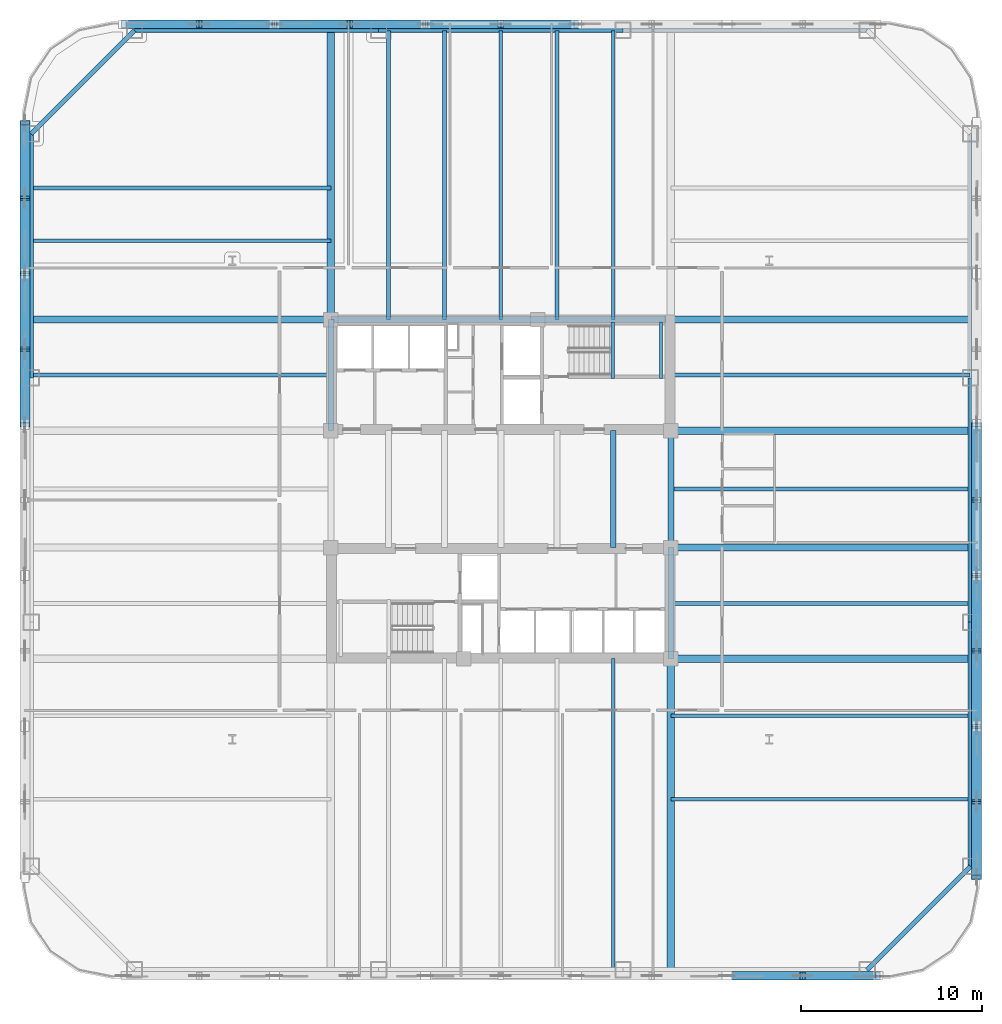
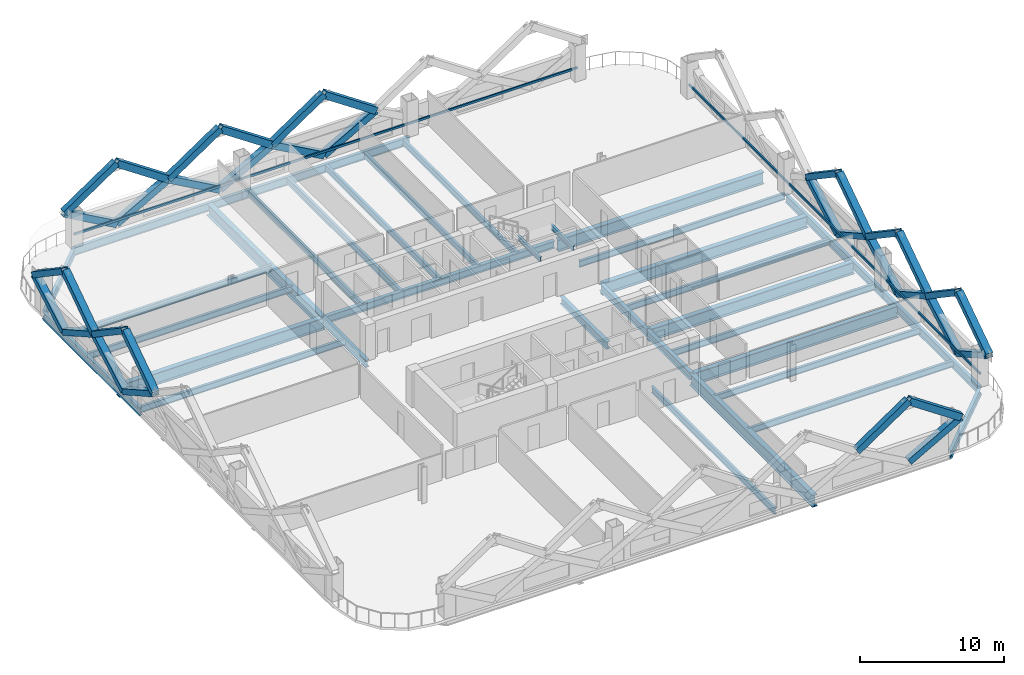
# One storey, part 2 of 14: 37 members, 35 beams.
"""IFC4 building model written with IfcOpenShell, lengths in metres."""

import ifcopenshell
import ifcopenshell.guid

model = None  # the IFC model being written
_history = None  # IfcOwnerHistory: only IFC2X3 demands one
_inside = {}  # id of a spatial element -> (the spatial element, [elements in it])
_under = {}  # id of a project, library or spatial element -> (it, [spatial elements below it])
_declared = {}  # id of a project -> (the project, [libraries it declares])
_typed = {}  # id of a type object -> (the type object, [elements of that type])
_made_of = {}  # id of a material, layer set ... -> (it, [elements and type objects made of it])


def new_model(schema):
    """Start an empty IFC model of exactly this schema.

    Asked for "IFC4X3", IfcOpenShell would pick the latest addendum, in which some entities
    have other attributes; the version numbers below select the first issue.
    IFC2X3 requires an IfcOwnerHistory on every rooted entity: one is made here for all.
    """
    global model, _history
    if schema == "IFC4X3":
        model = ifcopenshell.file(schema_version=(4, 3, 0, 0))
    else:
        model = ifcopenshell.file(schema=schema)
    _inside.clear()
    _under.clear()
    _declared.clear()
    _typed.clear()
    _made_of.clear()
    _history = None
    if model.schema == "IFC2X3":
        org = make("IfcOrganization", Name="unknown")
        user = make(
            "IfcPersonAndOrganization",
            ThePerson=make("IfcPerson", FamilyName="unknown"),
            TheOrganization=org,
        )
        app = make(
            "IfcApplication",
            ApplicationDeveloper=org,
            Version="unknown",
            ApplicationFullName="unknown",
            ApplicationIdentifier="unknown",
        )
        _history = make(
            "IfcOwnerHistory",
            OwningUser=user,
            OwningApplication=app,
            ChangeAction="ADDED",
            CreationDate=0,
        )
    return model


def make(cls, **values):
    """One entity of the class cls with the attributes given. An attribute that is None is left unset."""
    return model.create_entity(
        cls, **{name: value for name, value in values.items() if value is not None}
    )


def rooted(cls, **values):
    """An entity with a GlobalId (a new one), such as an element, a storey or a relation."""
    return make(cls, GlobalId=ifcopenshell.guid.new(), OwnerHistory=_history, **values)


def si_unit(unit_type, name, prefix=None):
    """IfcSIUnit, for example si_unit("LENGTHUNIT", "METRE", prefix="MILLI")."""
    return make("IfcSIUnit", UnitType=unit_type, Prefix=prefix, Name=name)


def assignment(units):
    """IfcUnitAssignment: the units of a project."""
    return None if units is None else make("IfcUnitAssignment", Units=units)


def point(xyz):
    """IfcCartesianPoint."""
    return None if xyz is None else make("IfcCartesianPoint", Coordinates=xyz)


def direction(xyz):
    """IfcDirection."""
    return None if xyz is None else make("IfcDirection", DirectionRatios=xyz)


def frame(location, z_axis=None, x_axis=None):
    """IfcAxis2Placement3D, a coordinate frame: its origin and axes. An axis left out is left unset."""
    return make(
        "IfcAxis2Placement3D",
        Location=point(location),
        Axis=direction(z_axis),
        RefDirection=direction(x_axis),
    )


def frame_2d(location, x_axis=None):
    """IfcAxis2Placement2D, a coordinate frame in the plane: its origin and x axis."""
    return make(
        "IfcAxis2Placement2D", Location=point(location), RefDirection=direction(x_axis)
    )


def origin():
    """The frame at (0, 0, 0) with its axes left unset."""
    return frame((0.0, 0.0, 0.0))


def origin_2d():
    """The frame at (0, 0) in the plane with its x axis left unset."""
    return frame_2d((0.0, 0.0))


def place(relative_to, where):
    """IfcLocalPlacement: puts the frame where relative to a parent placement (None: the world)."""
    return make(
        "IfcLocalPlacement", PlacementRelTo=relative_to, RelativePlacement=where
    )


def context(
    kind, dimensions, precision=None, world=None, true_north=None, identifier=None
):
    """IfcGeometricRepresentationContext, for example the 3D "Model" context."""
    return make(
        "IfcGeometricRepresentationContext",
        ContextIdentifier=identifier,
        ContextType=kind,
        CoordinateSpaceDimension=dimensions,
        Precision=precision,
        WorldCoordinateSystem=world,
        TrueNorth=true_north,
    )


def subcontext(parent, identifier, kind, view, scale=None):
    """IfcGeometricRepresentationSubContext, for example "Body" below "Model"."""
    return make(
        "IfcGeometricRepresentationSubContext",
        ContextIdentifier=identifier,
        ContextType=kind,
        ParentContext=parent,
        TargetScale=scale,
        TargetView=view,
    )


def project(units=None, contexts=None):
    """IfcProject with its units and contexts."""
    return rooted(
        "IfcProject",
        Name="project",
        RepresentationContexts=contexts,
        UnitsInContext=assignment(units),
    )


def spatial(cls, under=None, at=None, **own):
    """A site, building, storey or space (cls), placed at a placement, below another one or the project."""
    s = rooted(cls, ObjectPlacement=at, **own)
    if under is not None:
        _under.setdefault(under.id(), (under, []))[1].append(s)
    return s


def profile(cls, at=None, kind="AREA", **sizes):
    """A parametric profile (cls). Its sizes go by their IFC names, for example OverallWidth=200.0."""
    return make(cls, ProfileType=kind, Position=at, **sizes)


def hollow_rectangle(**sizes):
    """IfcRectangleHollowProfileDef."""
    return profile("IfcRectangleHollowProfileDef", **sizes)


def i_section(**sizes):
    """IfcIShapeProfileDef."""
    return profile("IfcIShapeProfileDef", **sizes)


def extrude(swept, where, along, depth):
    """IfcExtrudedAreaSolid: the profile swept, set in the frame where, extruded along a direction by depth."""
    return make(
        "IfcExtrudedAreaSolid",
        SweptArea=swept,
        Position=where,
        ExtrudedDirection=direction(along),
        Depth=depth,
    )


def shape(context_of_items, identifier, shape_type, items):
    """IfcShapeRepresentation: the items that make up one representation, for example the "Body"."""
    return make(
        "IfcShapeRepresentation",
        ContextOfItems=context_of_items,
        RepresentationIdentifier=identifier,
        RepresentationType=shape_type,
        Items=items,
    )


def material(Name=None, Category=None):
    """IfcMaterial."""
    return make("IfcMaterial", Name=Name, Category=Category)


def material_profile(
    of_material, cross_section, Name=None, Category=None, Priority=None
):
    """IfcMaterialProfile: a cross section and its material."""
    return make(
        "IfcMaterialProfile",
        Name=Name,
        Material=of_material,
        Profile=cross_section,
        Priority=Priority,
        Category=Category,
    )


def profile_set(profiles, Name=None, composite=None):
    """IfcMaterialProfileSet."""
    return make(
        "IfcMaterialProfileSet",
        Name=Name,
        MaterialProfiles=profiles,
        CompositeProfile=composite,
    )


def made_of(thing, what):
    """Note that an element or type object is made of a material, layer set ...; save() writes the relation."""
    if what is not None:
        _made_of.setdefault(what.id(), (what, []))[1].append(thing)
    return thing


def type_object(cls, material=None, **own):
    """A type object (cls), such as IfcWallType, which elements share."""
    return made_of(rooted(cls, **own), material)


def element(
    cls,
    number,
    at=None,
    inside=None,
    cuts=None,
    type_object=None,
    material=None,
    context=None,
    identifier="Body",
    shape_type=None,
    held_by="IfcProductDefinitionShape",
    body=None,
    shapes=None,
    **own,
):
    """One element of the class cls, such as IfcWall. Its Tag is "e" and its number.

    at: its placement. inside: the storey or other place that contains it. cuts: it is an
    opening in that element (IfcRelVoidsElement). A single representation is given by context,
    identifier, shape_type and body (its items); several are given by shapes. held_by: the class
    of the entity that holds the representations. save() writes the other relations.
    """
    e = rooted(cls, Tag="e%d" % number, ObjectPlacement=at, **own)
    if body is not None:
        shapes = [shape(context, identifier, shape_type, body)]
    if shapes is not None:
        e.Representation = make(held_by, Representations=shapes)
    if inside is not None:
        _inside.setdefault(inside.id(), (inside, []))[1].append(e)
    if cuts is not None:
        rooted(
            "IfcRelVoidsElement", RelatingBuildingElement=cuts, RelatedOpeningElement=e
        )
    if type_object is not None:
        _typed.setdefault(type_object.id(), (type_object, []))[1].append(e)
    return made_of(e, material)


def aggregate(whole, parts):
    """IfcRelAggregates: a whole, such as a stair, and the parts it consists of."""
    return rooted("IfcRelAggregates", RelatingObject=whole, RelatedObjects=parts)


def save(model, path):
    """Write the relations noted so far, then the file.

    IfcRelAggregates (storeys below a building ...), IfcRelContainedInSpatialStructure (elements
    in a storey), IfcRelDefinesByType, IfcRelAssociatesMaterial and IfcRelDeclares: one each for
    every whole, place, type object, material and project.
    """
    for whole, parts in _under.values():
        aggregate(whole, parts)
    for where, things in _inside.values():
        rooted(
            "IfcRelContainedInSpatialStructure",
            RelatedElements=things,
            RelatingStructure=where,
        )
    for kind, things in _typed.values():
        rooted("IfcRelDefinesByType", RelatedObjects=things, RelatingType=kind)
    for what, things in _made_of.values():
        rooted("IfcRelAssociatesMaterial", RelatedObjects=things, RelatingMaterial=what)
    for by, libraries in _declared.values():
        rooted("IfcRelDeclares", RelatingContext=by, RelatedDefinitions=libraries)
    model.write(path)


model = new_model("IFC4")

# Units and contexts
model_context = context("Model", 3, precision=1e-05, world=origin(), true_north=direction((0.0, 1.0)))
body_context = subcontext(model_context, "Body", "Model", "MODEL_VIEW")
ifc_project = project(units=[si_unit("LENGTHUNIT", "METRE"), si_unit("AREAUNIT", "SQUARE_METRE"), si_unit("VOLUMEUNIT", "CUBIC_METRE"), si_unit("PLANEANGLEUNIT", "RADIAN"), si_unit("MASSUNIT", "GRAM", prefix="KILO")], contexts=[model_context])

# Site, building, storey
site_placement = place(None, origin())
site = spatial("IfcSite", under=ifc_project, at=site_placement, CompositionType="ELEMENT")
building_placement = place(site_placement, origin())
building = spatial("IfcBuilding", under=site, at=building_placement, Name="Qhalaya Broadcast Tower", CompositionType="ELEMENT")
storey_placement = place(building_placement, frame((0.0, 0.0, 38.300048828125)))
storey = spatial("IfcBuildingStorey", under=building, at=storey_placement, Name="L10", CompositionType="ELEMENT", Elevation=38.300048828125)

# Beams
ifc_material_1 = material(Name="Structural Steel ASTM A992 Grade 50", Category="steel")
ifc_material_profile_1 = material_profile(ifc_material_1, i_section(OverallWidth=0.2099609375, OverallDepth=0.535888671875, WebThickness=0.010986328125, FlangeThickness=0.017333984375, at=origin_2d()), Name="W21X68")
ifc_profile_set_1 = profile_set([ifc_material_profile_1], Name="Structural Steel ASTM A992 Grade 50")
beam_type_1 = type_object("IfcBeamType", Name="Composite Floor Joist J02", PredefinedType="JOIST", material=ifc_profile_set_1)
for number, where, z_axis, x_axis, name in (
    (1, (-6.199951171875, 9.949951171875, -0.488037109375), (0.0, 1.0, 0.0), (-1.0, 0.0, 0.0), "L10 J02 L10-JNN1-1"),
    (2, (-3.10009765625, 9.949951171875, -0.488037109375), (0.0, 1.0, 0.0), (-1.0, 0.0, 0.0), "L10 J02 L10-JNN2-1"),
    (3, (0.0, 9.949951171875, -0.488037109375), (0.0, 1.0, 0.0), (-1.0, 0.0, 0.0), "L10 J02 L10-JNN3-1"),
    (4, (3.10009765625, 9.949951171875, -0.488037109375), (0.0, 1.0, 0.0), (-1.0, 0.0, 0.0), "L10 J02 L10-JNN4-1"),
):
    element("IfcBeam", number, at=place(storey_placement, frame(where, z_axis=z_axis, x_axis=x_axis)), inside=storey, type_object=beam_type_1, Name=name, PredefinedType="JOIST", context=body_context, shape_type="SweptSolid", body=[
        extrude(i_section(OverallWidth=0.2099609375, OverallDepth=0.535888671875, WebThickness=0.010986328125, FlangeThickness=0.017333984375, at=origin_2d()), origin(), (0.0, 0.0, 1.0), 15.929931640625),
    ])
beam_1_placement = place(storey_placement, frame((6.199951171875, -25.8798828125, -0.488037109375), z_axis=(0.0, 1.0, 0.0), x_axis=(-1.0, 0.0, 0.0)))
element("IfcBeam", 5, at=beam_1_placement, inside=storey, type_object=beam_type_1, Name="L10 J02 L10-JNS5-1", PredefinedType="JOIST", context=body_context, shape_type="SweptSolid", body=[
    extrude(i_section(OverallWidth=0.2099609375, OverallDepth=0.535888671875, WebThickness=0.010986328125, FlangeThickness=0.017333984375, at=origin_2d()), origin(), (0.0, 0.0, 1.0), 17.1298828125),
])
beam_2_placement = place(storey_placement, frame((6.199951171875, 9.949951171875, -0.488037109375), z_axis=(0.0, 1.0, 0.0), x_axis=(-1.0, 0.0, 0.0)))
element("IfcBeam", 6, at=beam_2_placement, inside=storey, type_object=beam_type_1, Name="L10 J02 L10-JNN5-1", PredefinedType="JOIST", context=body_context, shape_type="SweptSolid", body=[
    extrude(i_section(OverallWidth=0.2099609375, OverallDepth=0.535888671875, WebThickness=0.010986328125, FlangeThickness=0.017333984375, at=origin_2d()), origin(), (0.0, 0.0, 1.0), 15.929931640625),
])
for number, where, z_axis, x_axis, name in (
    (7, (9.375, -16.5, -0.488037109375), (1.0, 0.0, 0.0), (0.0, 1.0, 0.0), "L10 J02 L10-JWE1E-1"),
    (8, (9.375, -11.89990234375, -0.488037109375), (1.0, 0.0, 0.0), (0.0, 1.0, 0.0), "L10 J02 L10-JWE2E-1"),
    (9, (9.375, -5.699951171875, -0.488037109375), (1.0, 0.0, 0.0), (0.0, 1.0, 0.0), "L10 J02 L10-JWE3E-1"),
    (10, (9.375, 0.60009765625, -0.488037109375), (1.0, 0.0, 0.0), (0.0, 1.0, 0.0), "L10 J02 L10-JWE4E-1"),
    (11, (-25.8798828125, 6.89990234375, -0.488037109375), (1.0, 0.0, 0.0), (0.0, 1.0, 0.0), "L10 J02 L10-JWE5W-1"),
    (12, (9.375, 6.89990234375, -0.488037109375), (1.0, 0.0, 0.0), (0.0, 1.0, 0.0), "L10 J02 L10-JWE5E-1"),
    (13, (-25.8798828125, 14.300048828125, -0.488037109375), (1.0, 0.0, 0.0), (0.0, 1.0, 0.0), "L10 J02 L10-JWE6W-1"),
    (14, (-25.8798828125, 17.199951171875, -0.488037109375), (1.0, 0.0, 0.0), (0.0, 1.0, 0.0), "L10 J02 L10-JWE7W-1"),
):
    element("IfcBeam", number, at=place(storey_placement, frame(where, z_axis=z_axis, x_axis=x_axis)), inside=storey, type_object=beam_type_1, Name=name, PredefinedType="JOIST", context=body_context, shape_type="SweptSolid", body=[
        extrude(i_section(OverallWidth=0.2099609375, OverallDepth=0.535888671875, WebThickness=0.010986328125, FlangeThickness=0.017333984375, at=origin_2d()), origin(), (0.0, 0.0, 1.0), 16.5048828125),
    ])
ifc_material_profile_2 = material_profile(ifc_material_1, i_section(OverallWidth=0.323974609375, OverallDepth=0.612060546875, WebThickness=0.0126953125, FlangeThickness=0.01904296875, at=origin_2d()), Name="W24X104")
ifc_profile_set_2 = profile_set([ifc_material_profile_2], Name="Structural Steel ASTM A992 Grade 50")
beam_type_2 = type_object("IfcBeamType", Name="Core Frame Tie Beam B04", PredefinedType="BEAM", material=ifc_profile_set_2)
beam_3_placement = place(storey_placement, frame((-9.375, 3.824951171875, -0.526123046875), z_axis=(0.0, 1.0, 0.0), x_axis=(-1.0, 0.0, 0.0)))
element("IfcBeam", 15, at=beam_3_placement, inside=storey, type_object=beam_type_2, Name="L10 B04 L10-CCN2", PredefinedType="BEAM", context=body_context, shape_type="SweptSolid", body=[
    extrude(i_section(OverallWidth=0.323974609375, OverallDepth=0.612060546875, WebThickness=0.0126953125, FlangeThickness=0.01904296875, at=origin_2d()), origin(), (0.0, 0.0, 1.0), 6.125),
])
beam_4_placement = place(storey_placement, frame((-9.375, 9.949951171875, -0.526123046875), z_axis=(1.0, 0.0, 0.0), x_axis=(0.0, 1.0, 0.0)))
element("IfcBeam", 16, at=beam_4_placement, inside=storey, type_object=beam_type_2, Name="L10 B04 L10-CCN3", PredefinedType="BEAM", context=body_context, shape_type="SweptSolid", body=[
    extrude(i_section(OverallWidth=0.323974609375, OverallDepth=0.612060546875, WebThickness=0.0126953125, FlangeThickness=0.01904296875, at=origin_2d()), origin(), (0.0, 0.0, 1.0), 18.4951171875),
])
beam_5_placement = place(storey_placement, frame((9.375, -8.75, -0.526123046875), z_axis=(0.0, 1.0, 0.0), x_axis=(-1.0, 0.0, 0.0)))
element("IfcBeam", 17, at=beam_5_placement, inside=storey, type_object=beam_type_2, Name="L10 B04 L10-CCS2", PredefinedType="BEAM", context=body_context, shape_type="SweptSolid", body=[
    extrude(i_section(OverallWidth=0.323974609375, OverallDepth=0.612060546875, WebThickness=0.0126953125, FlangeThickness=0.01904296875, at=origin_2d()), origin(), (0.0, 0.0, 1.0), 6.125),
])
for number, where, z_axis, x_axis, name in (
    (18, (9.375, -2.625, -0.526123046875), (0.0, 1.0, 0.0), (-1.0, 0.0, 0.0), "L10 B04 L10-CCE"),
    (19, (6.199951171875, -2.625, -0.526123046875), (0.0, 1.0, 0.0), (-1.0, 0.0, 0.0), "L10 B04 L10-JC5-1"),
):
    element("IfcBeam", number, at=place(storey_placement, frame(where, z_axis=z_axis, x_axis=x_axis)), inside=storey, type_object=beam_type_2, Name=name, PredefinedType="BEAM", context=body_context, shape_type="SweptSolid", body=[
        extrude(i_section(OverallWidth=0.323974609375, OverallDepth=0.612060546875, WebThickness=0.0126953125, FlangeThickness=0.01904296875, at=origin_2d()), origin(), (0.0, 0.0, 1.0), 6.449951171875),
    ])

# Members
ifc_material_2 = material(Name="Structural Steel ASTM A572 Grade 50", Category="steel")
ifc_material_profile_3 = material_profile(ifc_material_2, hollow_rectangle(XDim=0.449951171875, YDim=0.550048828125, WallThickness=0.031982421875, at=origin_2d()), Name="BOX 450x550x32")
ifc_profile_set_3 = profile_set([ifc_material_profile_3], Name="Structural Steel ASTM A572 Grade 50")
member_type_1 = type_object("IfcMemberType", Name="Exoskeleton Diamond Diagonal Lower EX1", PredefinedType="BRACE", material=ifc_profile_set_3)
member_1_placement = place(storey_placement, frame((16.639892578125, -26.239990234375, 0.35986328125), z_axis=(0.872471089532, 0.0, 0.488665732306), x_axis=(0.0, 1.0, 0.0)))
element("IfcMember", 20, at=member_1_placement, inside=storey, type_object=member_type_1, Name="B1 Exoskeleton Diamond Brace S5-D2", PredefinedType="BRACE", context=body_context, shape_type="SweptSolid", body=[
    extrude(hollow_rectangle(XDim=0.449951171875, YDim=0.550048828125, WallThickness=0.031982421875, at=origin_2d()), origin(), (0.0, 0.0, 1.0), 4.768310546875),
])
member_2_placement = place(storey_placement, frame((12.47998046875, -26.239990234375, 2.68994140625), z_axis=(0.828652985792, 0.0, 0.559762654291), x_axis=(0.0, 1.0, 0.0)))
element("IfcMember", 21, at=member_2_placement, inside=storey, type_object=member_type_1, Name="B1 Exoskeleton Diamond Brace S5-D3", PredefinedType="BRACE", context=body_context, shape_type="SweptSolid", body=[
    extrude(hollow_rectangle(XDim=0.449951171875, YDim=0.550048828125, WallThickness=0.031982421875, at=origin_2d()), origin(), (0.0, 0.0, 1.0), 5.02001953125),
])
member_3_placement = place(storey_placement, frame((20.800048828125, -26.239990234375, 2.68994140625), z_axis=(-0.828668223168, 0.0, 0.559740096752), x_axis=(0.0, -1.0, 0.0)))
element("IfcMember", 22, at=member_3_placement, inside=storey, type_object=member_type_1, Name="B1 Exoskeleton Diamond Brace S5-D4", PredefinedType="BRACE", context=body_context, shape_type="SweptSolid", body=[
    extrude(hollow_rectangle(XDim=0.449951171875, YDim=0.550048828125, WallThickness=0.031982421875, at=origin_2d()), origin(), (0.0, 0.0, 1.0), 5.020263671875),
])
member_4_placement = place(storey_placement, frame((26.239990234375, -16.639892578125, 0.35986328125), z_axis=(0.0, -0.872471089532, 0.488665732306), x_axis=(0.0, 0.488665732306, 0.872471089532)))
element("IfcMember", 23, at=member_4_placement, inside=storey, type_object=member_type_1, Name="B1 Exoskeleton Diamond Brace E1-D1", PredefinedType="BRACE", context=body_context, shape_type="SweptSolid", body=[
    extrude(hollow_rectangle(XDim=0.449951171875, YDim=0.550048828125, WallThickness=0.031982421875, at=origin_2d()), origin(), (0.0, 0.0, 1.0), 4.768310546875),
])
member_5_placement = place(storey_placement, frame((26.239990234375, -16.639892578125, 0.35986328125), z_axis=(0.0, 0.872458862126, 0.488687562658), x_axis=(0.0, -0.488687562658, 0.872458862126)))
element("IfcMember", 24, at=member_5_placement, inside=storey, type_object=member_type_1, Name="B1 Exoskeleton Diamond Brace E1-D2", PredefinedType="BRACE", context=body_context, shape_type="SweptSolid", body=[
    extrude(hollow_rectangle(XDim=0.449951171875, YDim=0.550048828125, WallThickness=0.031982421875, at=origin_2d()), origin(), (0.0, 0.0, 1.0), 4.76806640625),
])
member_6_placement = place(storey_placement, frame((26.239990234375, -20.800048828125, 2.68994140625), z_axis=(0.0, 0.828668223168, 0.559740096752), x_axis=(0.0, -0.559740096752, 0.828668223168)))
element("IfcMember", 25, at=member_6_placement, inside=storey, type_object=member_type_1, Name="B1 Exoskeleton Diamond Brace E1-D3", PredefinedType="BRACE", context=body_context, shape_type="SweptSolid", body=[
    extrude(hollow_rectangle(XDim=0.449951171875, YDim=0.550048828125, WallThickness=0.031982421875, at=origin_2d()), origin(), (0.0, 0.0, 1.0), 5.020263671875),
])
member_7_placement = place(storey_placement, frame((26.239990234375, -12.47998046875, 2.68994140625), z_axis=(0.0, -0.828652985792, 0.559762654291), x_axis=(0.0, 0.559762654291, 0.828652985792)))
element("IfcMember", 26, at=member_7_placement, inside=storey, type_object=member_type_1, Name="B1 Exoskeleton Diamond Brace E1-D4", PredefinedType="BRACE", context=body_context, shape_type="SweptSolid", body=[
    extrude(hollow_rectangle(XDim=0.449951171875, YDim=0.550048828125, WallThickness=0.031982421875, at=origin_2d()), origin(), (0.0, 0.0, 1.0), 5.02001953125),
])
member_8_placement = place(storey_placement, frame((26.239990234375, -8.320068359375, 0.35986328125), z_axis=(0.0, -0.872458862126, 0.488687562658), x_axis=(0.0, 0.488687562658, 0.872458862126)))
element("IfcMember", 27, at=member_8_placement, inside=storey, type_object=member_type_1, Name="B1 Exoskeleton Diamond Brace E2-D1", PredefinedType="BRACE", context=body_context, shape_type="SweptSolid", body=[
    extrude(hollow_rectangle(XDim=0.449951171875, YDim=0.550048828125, WallThickness=0.031982421875, at=origin_2d()), origin(), (0.0, 0.0, 1.0), 4.76806640625),
])
member_9_placement = place(storey_placement, frame((26.239990234375, -8.320068359375, 0.35986328125), z_axis=(0.0, 0.872471089532, 0.488665732306), x_axis=(0.0, -0.488665732306, 0.872471089532)))
element("IfcMember", 28, at=member_9_placement, inside=storey, type_object=member_type_1, Name="B1 Exoskeleton Diamond Brace E2-D2", PredefinedType="BRACE", context=body_context, shape_type="SweptSolid", body=[
    extrude(hollow_rectangle(XDim=0.449951171875, YDim=0.550048828125, WallThickness=0.031982421875, at=origin_2d()), origin(), (0.0, 0.0, 1.0), 4.768310546875),
])
member_10_placement = place(storey_placement, frame((26.239990234375, -12.47998046875, 2.68994140625), z_axis=(0.0, 0.828652985792, 0.559762654291), x_axis=(0.0, -0.559762654291, 0.828652985792)))
element("IfcMember", 29, at=member_10_placement, inside=storey, type_object=member_type_1, Name="B1 Exoskeleton Diamond Brace E2-D3", PredefinedType="BRACE", context=body_context, shape_type="SweptSolid", body=[
    extrude(hollow_rectangle(XDim=0.449951171875, YDim=0.550048828125, WallThickness=0.031982421875, at=origin_2d()), origin(), (0.0, 0.0, 1.0), 5.02001953125),
])
member_11_placement = place(storey_placement, frame((26.239990234375, -4.159912109375, 2.68994140625), z_axis=(0.0, -0.828668223168, 0.559740096752), x_axis=(0.0, 0.559740096752, 0.828668223168)))
element("IfcMember", 30, at=member_11_placement, inside=storey, type_object=member_type_1, Name="B1 Exoskeleton Diamond Brace E2-D4", PredefinedType="BRACE", context=body_context, shape_type="SweptSolid", body=[
    extrude(hollow_rectangle(XDim=0.449951171875, YDim=0.550048828125, WallThickness=0.031982421875, at=origin_2d()), origin(), (0.0, 0.0, 1.0), 5.020263671875),
])
for number, where, z_axis, x_axis, name in (
    (31, (26.239990234375, 0.0, 0.35986328125), (0.0, -0.872458862126, 0.488687562658), (0.0, 0.488687562658, 0.872458862126), "B1 Exoskeleton Diamond Brace E3-D1"),
    (32, (26.239990234375, 0.0, 0.35986328125), (0.0, 0.872458862126, 0.488687562658), (0.0, -0.488687562658, 0.872458862126), "B1 Exoskeleton Diamond Brace E3-D2"),
):
    element("IfcMember", number, at=place(storey_placement, frame(where, z_axis=z_axis, x_axis=x_axis)), inside=storey, type_object=member_type_1, Name=name, PredefinedType="BRACE", context=body_context, shape_type="SweptSolid", body=[
        extrude(hollow_rectangle(XDim=0.449951171875, YDim=0.550048828125, WallThickness=0.031982421875, at=origin_2d()), origin(), (0.0, 0.0, 1.0), 4.76806640625),
    ])
for number, where, z_axis, x_axis, name in (
    (33, (26.239990234375, -4.159912109375, 2.68994140625), (0.0, 0.828652985792, 0.559762654291), (0.0, -0.559762654291, 0.828652985792), "B1 Exoskeleton Diamond Brace E3-D3"),
    (34, (26.239990234375, 4.159912109375, 2.68994140625), (0.0, -0.828652985792, 0.559762654291), (0.0, 0.559762654291, 0.828652985792), "B1 Exoskeleton Diamond Brace E3-D4"),
):
    element("IfcMember", number, at=place(storey_placement, frame(where, z_axis=z_axis, x_axis=x_axis)), inside=storey, type_object=member_type_1, Name=name, PredefinedType="BRACE", context=body_context, shape_type="SweptSolid", body=[
        extrude(hollow_rectangle(XDim=0.449951171875, YDim=0.550048828125, WallThickness=0.031982421875, at=origin_2d()), origin(), (0.0, 0.0, 1.0), 5.02001953125),
    ])
for number, where, z_axis, x_axis, name in (
    (35, (0.0, 26.239990234375, 0.35986328125), (0.872458862126, 0.0, 0.488687562658), (0.0, 1.0, 0.0), "B1 Exoskeleton Diamond Brace N3-D1"),
    (36, (0.0, 26.239990234375, 0.35986328125), (-0.872458862126, 0.0, 0.488687562658), (0.0, -1.0, 0.0), "B1 Exoskeleton Diamond Brace N3-D2"),
):
    element("IfcMember", number, at=place(storey_placement, frame(where, z_axis=z_axis, x_axis=x_axis)), inside=storey, type_object=member_type_1, Name=name, PredefinedType="BRACE", context=body_context, shape_type="SweptSolid", body=[
        extrude(hollow_rectangle(XDim=0.449951171875, YDim=0.550048828125, WallThickness=0.031982421875, at=origin_2d()), origin(), (0.0, 0.0, 1.0), 4.76806640625),
    ])
for number, where, z_axis, x_axis, name in (
    (37, (4.159912109375, 26.239990234375, 2.68994140625), (-0.828652985792, 0.0, 0.559762654291), (0.0, -1.0, 0.0), "B1 Exoskeleton Diamond Brace N3-D3"),
    (38, (-4.159912109375, 26.239990234375, 2.68994140625), (0.828652985792, 0.0, 0.559762654291), (0.0, 1.0, 0.0), "B1 Exoskeleton Diamond Brace N3-D4"),
):
    element("IfcMember", number, at=place(storey_placement, frame(where, z_axis=z_axis, x_axis=x_axis)), inside=storey, type_object=member_type_1, Name=name, PredefinedType="BRACE", context=body_context, shape_type="SweptSolid", body=[
        extrude(hollow_rectangle(XDim=0.449951171875, YDim=0.550048828125, WallThickness=0.031982421875, at=origin_2d()), origin(), (0.0, 0.0, 1.0), 5.02001953125),
    ])
member_12_placement = place(storey_placement, frame((-8.320068359375, 26.239990234375, 0.35986328125), z_axis=(0.872471089532, 0.0, 0.488665732306), x_axis=(0.0, 1.0, 0.0)))
element("IfcMember", 39, at=member_12_placement, inside=storey, type_object=member_type_1, Name="B1 Exoskeleton Diamond Brace N4-D1", PredefinedType="BRACE", context=body_context, shape_type="SweptSolid", body=[
    extrude(hollow_rectangle(XDim=0.449951171875, YDim=0.550048828125, WallThickness=0.031982421875, at=origin_2d()), origin(), (0.0, 0.0, 1.0), 4.768310546875),
])
member_13_placement = place(storey_placement, frame((-8.320068359375, 26.239990234375, 0.35986328125), z_axis=(-0.872458862126, 0.0, 0.488687562658), x_axis=(0.0, -1.0, 0.0)))
element("IfcMember", 40, at=member_13_placement, inside=storey, type_object=member_type_1, Name="B1 Exoskeleton Diamond Brace N4-D2", PredefinedType="BRACE", context=body_context, shape_type="SweptSolid", body=[
    extrude(hollow_rectangle(XDim=0.449951171875, YDim=0.550048828125, WallThickness=0.031982421875, at=origin_2d()), origin(), (0.0, 0.0, 1.0), 4.76806640625),
])
member_14_placement = place(storey_placement, frame((-4.159912109375, 26.239990234375, 2.68994140625), z_axis=(-0.828668223168, 0.0, 0.559740096752), x_axis=(0.0, -1.0, 0.0)))
element("IfcMember", 41, at=member_14_placement, inside=storey, type_object=member_type_1, Name="B1 Exoskeleton Diamond Brace N4-D3", PredefinedType="BRACE", context=body_context, shape_type="SweptSolid", body=[
    extrude(hollow_rectangle(XDim=0.449951171875, YDim=0.550048828125, WallThickness=0.031982421875, at=origin_2d()), origin(), (0.0, 0.0, 1.0), 5.020263671875),
])
member_15_placement = place(storey_placement, frame((-12.47998046875, 26.239990234375, 2.68994140625), z_axis=(0.828652985792, 0.0, 0.559762654291), x_axis=(0.0, 1.0, 0.0)))
element("IfcMember", 42, at=member_15_placement, inside=storey, type_object=member_type_1, Name="B1 Exoskeleton Diamond Brace N4-D4", PredefinedType="BRACE", context=body_context, shape_type="SweptSolid", body=[
    extrude(hollow_rectangle(XDim=0.449951171875, YDim=0.550048828125, WallThickness=0.031982421875, at=origin_2d()), origin(), (0.0, 0.0, 1.0), 5.02001953125),
])
member_16_placement = place(storey_placement, frame((-16.639892578125, 26.239990234375, 0.35986328125), z_axis=(0.872458862126, 0.0, 0.488687562658), x_axis=(0.0, 1.0, 0.0)))
element("IfcMember", 43, at=member_16_placement, inside=storey, type_object=member_type_1, Name="B1 Exoskeleton Diamond Brace N5-D1", PredefinedType="BRACE", context=body_context, shape_type="SweptSolid", body=[
    extrude(hollow_rectangle(XDim=0.449951171875, YDim=0.550048828125, WallThickness=0.031982421875, at=origin_2d()), origin(), (0.0, 0.0, 1.0), 4.76806640625),
])
member_17_placement = place(storey_placement, frame((-16.639892578125, 26.239990234375, 0.35986328125), z_axis=(-0.872471089532, 0.0, 0.488665732306), x_axis=(0.0, -1.0, 0.0)))
element("IfcMember", 44, at=member_17_placement, inside=storey, type_object=member_type_1, Name="B1 Exoskeleton Diamond Brace N5-D2", PredefinedType="BRACE", context=body_context, shape_type="SweptSolid", body=[
    extrude(hollow_rectangle(XDim=0.449951171875, YDim=0.550048828125, WallThickness=0.031982421875, at=origin_2d()), origin(), (0.0, 0.0, 1.0), 4.768310546875),
])
member_18_placement = place(storey_placement, frame((-12.47998046875, 26.239990234375, 2.68994140625), z_axis=(-0.828652985792, 0.0, 0.559762654291), x_axis=(0.0, -1.0, 0.0)))
element("IfcMember", 45, at=member_18_placement, inside=storey, type_object=member_type_1, Name="B1 Exoskeleton Diamond Brace N5-D3", PredefinedType="BRACE", context=body_context, shape_type="SweptSolid", body=[
    extrude(hollow_rectangle(XDim=0.449951171875, YDim=0.550048828125, WallThickness=0.031982421875, at=origin_2d()), origin(), (0.0, 0.0, 1.0), 5.02001953125),
])
member_19_placement = place(storey_placement, frame((-20.800048828125, 26.239990234375, 2.68994140625), z_axis=(0.828668223168, 0.0, 0.559740096752), x_axis=(0.0, 1.0, 0.0)))
element("IfcMember", 46, at=member_19_placement, inside=storey, type_object=member_type_1, Name="B1 Exoskeleton Diamond Brace N5-D4", PredefinedType="BRACE", context=body_context, shape_type="SweptSolid", body=[
    extrude(hollow_rectangle(XDim=0.449951171875, YDim=0.550048828125, WallThickness=0.031982421875, at=origin_2d()), origin(), (0.0, 0.0, 1.0), 5.020263671875),
])
member_20_placement = place(storey_placement, frame((-26.239990234375, 16.639892578125, 0.35986328125), z_axis=(0.0, 0.872471089532, 0.488665732306), x_axis=(0.0, -0.488665732306, 0.872471089532)))
element("IfcMember", 47, at=member_20_placement, inside=storey, type_object=member_type_1, Name="B1 Exoskeleton Diamond Brace W1-D1", PredefinedType="BRACE", context=body_context, shape_type="SweptSolid", body=[
    extrude(hollow_rectangle(XDim=0.449951171875, YDim=0.550048828125, WallThickness=0.031982421875, at=origin_2d()), origin(), (0.0, 0.0, 1.0), 4.768310546875),
])
member_21_placement = place(storey_placement, frame((-26.239990234375, 16.639892578125, 0.35986328125), z_axis=(0.0, -0.872458862126, 0.488687562658), x_axis=(0.0, 0.488687562658, 0.872458862126)))
element("IfcMember", 48, at=member_21_placement, inside=storey, type_object=member_type_1, Name="B1 Exoskeleton Diamond Brace W1-D2", PredefinedType="BRACE", context=body_context, shape_type="SweptSolid", body=[
    extrude(hollow_rectangle(XDim=0.449951171875, YDim=0.550048828125, WallThickness=0.031982421875, at=origin_2d()), origin(), (0.0, 0.0, 1.0), 4.76806640625),
])
member_22_placement = place(storey_placement, frame((-26.239990234375, 20.800048828125, 2.68994140625), z_axis=(0.0, -0.828668223168, 0.559740096752), x_axis=(0.0, 0.559740096752, 0.828668223168)))
element("IfcMember", 49, at=member_22_placement, inside=storey, type_object=member_type_1, Name="B1 Exoskeleton Diamond Brace W1-D3", PredefinedType="BRACE", context=body_context, shape_type="SweptSolid", body=[
    extrude(hollow_rectangle(XDim=0.449951171875, YDim=0.550048828125, WallThickness=0.031982421875, at=origin_2d()), origin(), (0.0, 0.0, 1.0), 5.020263671875),
])
member_23_placement = place(storey_placement, frame((-26.239990234375, 12.47998046875, 2.68994140625), z_axis=(0.0, 0.828652985792, 0.559762654291), x_axis=(0.0, -0.559762654291, 0.828652985792)))
element("IfcMember", 50, at=member_23_placement, inside=storey, type_object=member_type_1, Name="B1 Exoskeleton Diamond Brace W1-D4", PredefinedType="BRACE", context=body_context, shape_type="SweptSolid", body=[
    extrude(hollow_rectangle(XDim=0.449951171875, YDim=0.550048828125, WallThickness=0.031982421875, at=origin_2d()), origin(), (0.0, 0.0, 1.0), 5.02001953125),
])
member_24_placement = place(storey_placement, frame((-26.239990234375, 8.320068359375, 0.35986328125), z_axis=(0.0, 0.872458862126, 0.488687562658), x_axis=(0.0, -0.488687562658, 0.872458862126)))
element("IfcMember", 51, at=member_24_placement, inside=storey, type_object=member_type_1, Name="B1 Exoskeleton Diamond Brace W2-D1", PredefinedType="BRACE", context=body_context, shape_type="SweptSolid", body=[
    extrude(hollow_rectangle(XDim=0.449951171875, YDim=0.550048828125, WallThickness=0.031982421875, at=origin_2d()), origin(), (0.0, 0.0, 1.0), 4.76806640625),
])
member_25_placement = place(storey_placement, frame((-26.239990234375, 8.320068359375, 0.35986328125), z_axis=(0.0, -0.872471089532, 0.488665732306), x_axis=(0.0, 0.488665732306, 0.872471089532)))
element("IfcMember", 52, at=member_25_placement, inside=storey, type_object=member_type_1, Name="B1 Exoskeleton Diamond Brace W2-D2", PredefinedType="BRACE", context=body_context, shape_type="SweptSolid", body=[
    extrude(hollow_rectangle(XDim=0.449951171875, YDim=0.550048828125, WallThickness=0.031982421875, at=origin_2d()), origin(), (0.0, 0.0, 1.0), 4.768310546875),
])
member_26_placement = place(storey_placement, frame((-26.239990234375, 12.47998046875, 2.68994140625), z_axis=(0.0, -0.828652985792, 0.559762654291), x_axis=(0.0, 0.559762654291, 0.828652985792)))
element("IfcMember", 53, at=member_26_placement, inside=storey, type_object=member_type_1, Name="B1 Exoskeleton Diamond Brace W2-D3", PredefinedType="BRACE", context=body_context, shape_type="SweptSolid", body=[
    extrude(hollow_rectangle(XDim=0.449951171875, YDim=0.550048828125, WallThickness=0.031982421875, at=origin_2d()), origin(), (0.0, 0.0, 1.0), 5.02001953125),
])
member_27_placement = place(storey_placement, frame((-26.239990234375, 4.159912109375, 2.68994140625), z_axis=(0.0, 0.828668223168, 0.559740096752), x_axis=(0.0, -0.559740096752, 0.828668223168)))
element("IfcMember", 54, at=member_27_placement, inside=storey, type_object=member_type_1, Name="B1 Exoskeleton Diamond Brace W2-D4", PredefinedType="BRACE", context=body_context, shape_type="SweptSolid", body=[
    extrude(hollow_rectangle(XDim=0.449951171875, YDim=0.550048828125, WallThickness=0.031982421875, at=origin_2d()), origin(), (0.0, 0.0, 1.0), 5.020263671875),
])
ifc_material_3 = material(Name="Fired Architectural Terracotta", Category="masonry")
ifc_material_profile_4 = material_profile(ifc_material_3, hollow_rectangle(XDim=0.110107421875, YDim=0.179931640625, WallThickness=0.01806640625, at=origin_2d()), Name="TB-BAG 110x180x18")
ifc_profile_set_4 = profile_set([ifc_material_profile_4], Name="Fired Architectural Terracotta")
member_type_2 = type_object("IfcMemberType", Name="Fired Terracotta Facade Baguette Member TB1", PredefinedType="USERDEFINED", material=ifc_profile_set_4)
for number, where, z_axis, x_axis, name in (
    (55, (25.89990234375, -20.199951171875, 0.848876953125), (0.0, 1.0, 0.0), (-1.0, 0.0, 0.0), "L10 Terracotta Baguette Feature Rail E"),
    (56, (20.199951171875, 25.89990234375, 0.848876953125), (-1.0, 0.0, 0.0), (0.0, -1.0, 0.0), "L10 Terracotta Baguette Feature Rail N"),
):
    element("IfcMember", number, at=place(storey_placement, frame(where, z_axis=z_axis, x_axis=x_axis)), inside=storey, type_object=member_type_2, Name=name, ObjectType="BAGUETTE", PredefinedType="USERDEFINED", context=body_context, shape_type="SweptSolid", body=[
        extrude(hollow_rectangle(XDim=0.110107421875, YDim=0.179931640625, WallThickness=0.01806640625, at=origin_2d()), origin(), (0.0, 0.0, 1.0), 40.39990234375),
    ])

# Beams
ifc_material_profile_5 = material_profile(ifc_material_1, i_section(OverallWidth=0.40087890625, OverallDepth=1.010986328125, WebThickness=0.023681640625, FlangeThickness=0.0419921875, at=origin_2d()), Name="W40X297")
ifc_profile_set_5 = profile_set([ifc_material_profile_5], Name="Structural Steel ASTM A992 Grade 50")
beam_type_3 = type_object("IfcBeamType", Name="Lower Block Primary Girder PG2", PredefinedType="USERDEFINED", material=ifc_profile_set_5)
beam_6_placement = place(storey_placement, frame((-9.375, 9.949951171875, -0.7255859375), z_axis=(0.0, 1.0, 0.0), x_axis=(-1.0, 0.0, 0.0)))
element("IfcBeam", 57, at=beam_6_placement, inside=storey, type_object=beam_type_3, Name="L10 PG2 L10-PGXN1-1", ObjectType="GIRDER", PredefinedType="USERDEFINED", context=body_context, shape_type="SweptSolid", body=[
    extrude(i_section(OverallWidth=0.40087890625, OverallDepth=1.010986328125, WebThickness=0.023681640625, FlangeThickness=0.0419921875, at=origin_2d()), origin(), (0.0, 0.0, 1.0), 15.929931640625),
])
beam_7_placement = place(storey_placement, frame((9.375, -25.8798828125, -0.7255859375), z_axis=(0.0, 1.0, 0.0), x_axis=(-1.0, 0.0, 0.0)))
element("IfcBeam", 58, at=beam_7_placement, inside=storey, type_object=beam_type_3, Name="L10 PG2 L10-PGXS2-1", ObjectType="GIRDER", PredefinedType="USERDEFINED", context=body_context, shape_type="SweptSolid", body=[
    extrude(i_section(OverallWidth=0.40087890625, OverallDepth=1.010986328125, WebThickness=0.023681640625, FlangeThickness=0.0419921875, at=origin_2d()), origin(), (0.0, 0.0, 1.0), 17.1298828125),
])
for number, where, z_axis, x_axis, name in (
    (59, (9.375, -8.75, -0.7255859375), (1.0, 0.0, 0.0), (0.0, 1.0, 0.0), "L10 PG2 L10-PGYE1-1"),
    (60, (9.375, -2.625, -0.7255859375), (1.0, 0.0, 0.0), (0.0, 1.0, 0.0), "L10 PG2 L10-PGYE2-1"),
    (61, (9.375, 3.824951171875, -0.7255859375), (1.0, 0.0, 0.0), (0.0, 1.0, 0.0), "L10 PG2 L10-PGYE3-1"),
    (62, (-25.8798828125, 9.949951171875, -0.7255859375), (1.0, 0.0, 0.0), (0.0, 1.0, 0.0), "L10 PG2 L10-PGYW4-1"),
    (63, (9.375, 9.949951171875, -0.7255859375), (1.0, 0.0, 0.0), (0.0, 1.0, 0.0), "L10 PG2 L10-PGYE4-1"),
):
    element("IfcBeam", number, at=place(storey_placement, frame(where, z_axis=z_axis, x_axis=x_axis)), inside=storey, type_object=beam_type_3, Name=name, ObjectType="GIRDER", PredefinedType="USERDEFINED", context=body_context, shape_type="SweptSolid", body=[
        extrude(i_section(OverallWidth=0.40087890625, OverallDepth=1.010986328125, WebThickness=0.023681640625, FlangeThickness=0.0419921875, at=origin_2d()), origin(), (0.0, 0.0, 1.0), 16.5048828125),
    ])
ifc_material_profile_6 = material_profile(ifc_material_1, i_section(OverallWidth=0.25390625, OverallDepth=0.68310546875, WebThickness=0.012451171875, FlangeThickness=0.01904296875, at=origin_2d()), Name="W27X94")
ifc_profile_set_6 = profile_set([ifc_material_profile_6], Name="Structural Steel ASTM A992 Grade 50")
beam_type_4 = type_object("IfcBeamType", Name="Perimeter Ring Spandrel Beam SP1", PredefinedType="SPANDREL", material=ifc_profile_set_6)
beam_8_placement = place(storey_placement, frame((20.199951171875, -25.89990234375, -0.5615234375), z_axis=(0.707106781187, 0.707106781187, 0.0), x_axis=(-0.707106781187, 0.707106781187, 0.0)))
element("IfcBeam", 64, at=beam_8_placement, inside=storey, type_object=beam_type_4, Name="L10 SP1 L10-SPR-04", PredefinedType="SPANDREL", context=body_context, shape_type="SweptSolid", body=[
    extrude(i_section(OverallWidth=0.25390625, OverallDepth=0.68310546875, WebThickness=0.012451171875, FlangeThickness=0.01904296875, at=origin_2d()), origin(), (0.0, 0.0, 1.0), 8.06103515625),
])
beam_9_placement = place(storey_placement, frame((25.89990234375, -20.199951171875, -0.5615234375), z_axis=(0.0, 1.0, 0.0), x_axis=(-1.0, 0.0, 0.0)))
element("IfcBeam", 65, at=beam_9_placement, inside=storey, type_object=beam_type_4, Name="L10 SP1 L10-SPR-05", PredefinedType="SPANDREL", context=body_context, shape_type="SweptSolid", body=[
    extrude(i_section(OverallWidth=0.25390625, OverallDepth=0.68310546875, WebThickness=0.012451171875, FlangeThickness=0.01904296875, at=origin_2d()), origin(), (0.0, 0.0, 1.0), 13.466552734375),
])
for number, where, z_axis, x_axis, name in (
    (66, (25.89990234375, -6.7333984375, -0.5615234375), (0.0, 1.0, 0.0), (-1.0, 0.0, 0.0), "L10 SP1 L10-SPR-06"),
    (67, (6.7333984375, 25.89990234375, -0.5615234375), (-1.0, 0.0, 0.0), (0.0, -1.0, 0.0), "L10 SP1 L10-SPR-10"),
):
    element("IfcBeam", number, at=place(storey_placement, frame(where, z_axis=z_axis, x_axis=x_axis)), inside=storey, type_object=beam_type_4, Name=name, PredefinedType="SPANDREL", context=body_context, shape_type="SweptSolid", body=[
        extrude(i_section(OverallWidth=0.25390625, OverallDepth=0.68310546875, WebThickness=0.012451171875, FlangeThickness=0.01904296875, at=origin_2d()), origin(), (0.0, 0.0, 1.0), 13.466796875),
    ])
beam_10_placement = place(storey_placement, frame((-6.7333984375, 25.89990234375, -0.5615234375), z_axis=(-1.0, 0.0, 0.0), x_axis=(0.0, -1.0, 0.0)))
element("IfcBeam", 68, at=beam_10_placement, inside=storey, type_object=beam_type_4, Name="L10 SP1 L10-SPR-11", PredefinedType="SPANDREL", context=body_context, shape_type="SweptSolid", body=[
    extrude(i_section(OverallWidth=0.25390625, OverallDepth=0.68310546875, WebThickness=0.012451171875, FlangeThickness=0.01904296875, at=origin_2d()), origin(), (0.0, 0.0, 1.0), 13.466552734375),
])
beam_11_placement = place(storey_placement, frame((-20.199951171875, 25.89990234375, -0.5615234375), z_axis=(-0.707106781187, -0.707106781187, 0.0), x_axis=(0.707106781187, -0.707106781187, 0.0)))
element("IfcBeam", 69, at=beam_11_placement, inside=storey, type_object=beam_type_4, Name="L10 SP1 L10-SPR-12", PredefinedType="SPANDREL", context=body_context, shape_type="SweptSolid", body=[
    extrude(i_section(OverallWidth=0.25390625, OverallDepth=0.68310546875, WebThickness=0.012451171875, FlangeThickness=0.01904296875, at=origin_2d()), origin(), (0.0, 0.0, 1.0), 8.06103515625),
])
beam_12_placement = place(storey_placement, frame((-25.89990234375, 20.199951171875, -0.5615234375), z_axis=(0.0, -1.0, 0.0), x_axis=(1.0, 0.0, 0.0)))
element("IfcBeam", 70, at=beam_12_placement, inside=storey, type_object=beam_type_4, Name="L10 SP1 L10-SPR-13", PredefinedType="SPANDREL", context=body_context, shape_type="SweptSolid", body=[
    extrude(i_section(OverallWidth=0.25390625, OverallDepth=0.68310546875, WebThickness=0.012451171875, FlangeThickness=0.01904296875, at=origin_2d()), origin(), (0.0, 0.0, 1.0), 13.466552734375),
])
ifc_material_profile_7 = material_profile(ifc_material_1, i_section(OverallWidth=0.177978515625, OverallDepth=0.406005859375, WebThickness=0.0078125, FlangeThickness=0.0126953125, at=origin_2d()), Name="W16X40")
ifc_profile_set_7 = profile_set([ifc_material_profile_7], Name="Structural Steel ASTM A992 Grade 50")
beam_type_5 = type_object("IfcBeamType", Name="Upper Perimeter Spandrel Beam SP2", PredefinedType="SPANDREL", material=ifc_profile_set_7)
for number, where, z_axis, x_axis, name in (
    (71, (6.175048828125, 6.699951171875, 1.1220703125), (0.0, 1.0, 0.0), (-1.0, 0.0, 0.0), "L10 ST-1 Half-Landing Bearer Beam 1"),
    (72, (8.830078125, 6.699951171875, 1.1220703125), (0.0, 1.0, 0.0), (-1.0, 0.0, 0.0), "L10 ST-1 Half-Landing Bearer Beam 2"),
):
    element("IfcBeam", number, at=place(storey_placement, frame(where, z_axis=z_axis, x_axis=x_axis)), inside=storey, type_object=beam_type_5, Name=name, PredefinedType="SPANDREL", context=body_context, shape_type="SweptSolid", body=[
        extrude(i_section(OverallWidth=0.177978515625, OverallDepth=0.406005859375, WebThickness=0.0078125, FlangeThickness=0.0126953125, at=origin_2d()), origin(), (0.0, 0.0, 1.0), 3.1201171875),
    ])

save(model, "model.ifc")
